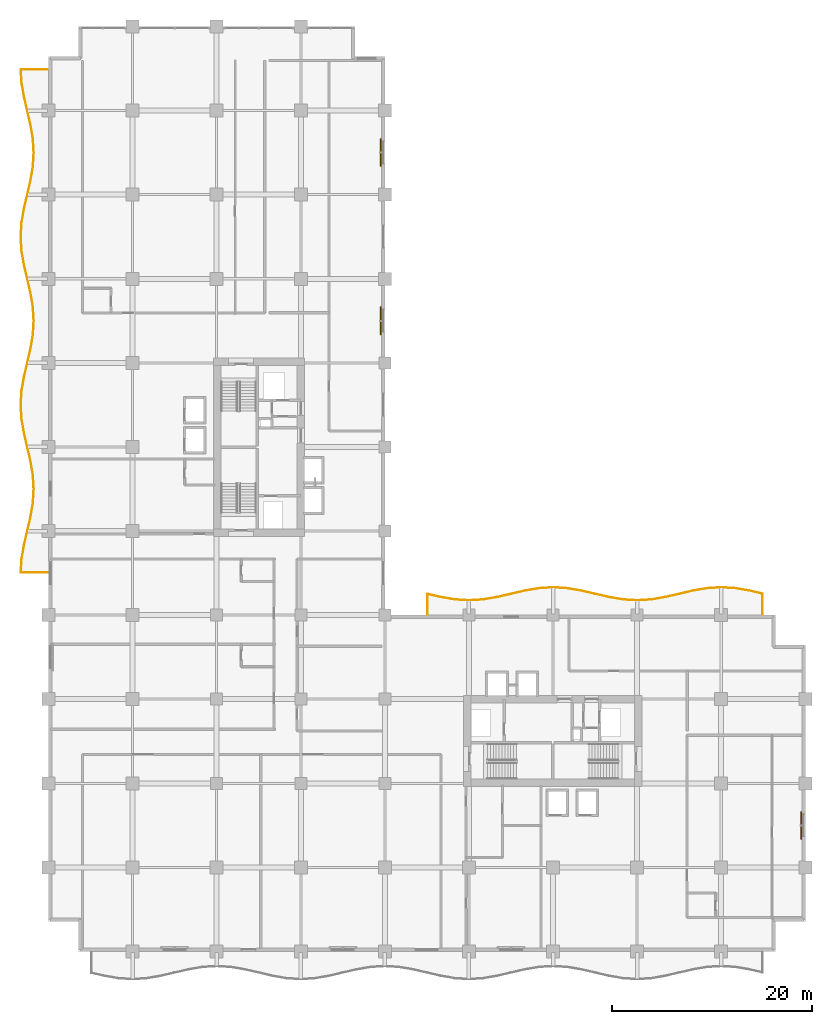
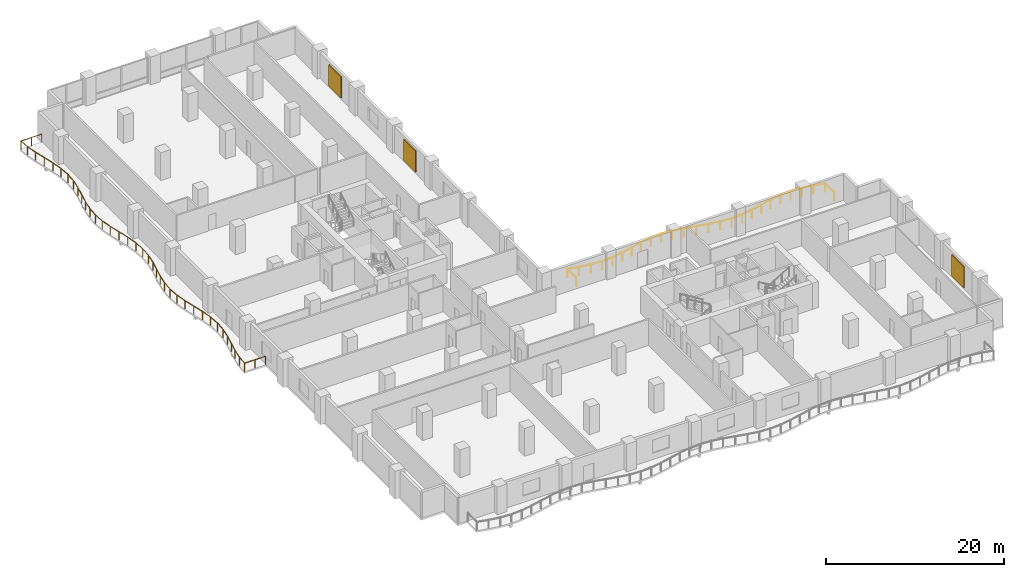
# One storey, part 22 of 22: 3 shading devices, 2 railings.
"""IFC4 building model written with IfcOpenShell, lengths in metres."""

from ifc_helpers import new_model, si_unit, direction, frame, origin, origin_2d, place, context, subcontext, project, spatial, rectangle, circle, extrude, material, layer, layer_set, type_object, element, save


model = new_model("IFC4")

# Units and contexts
model_context = context("Model", 3, precision=1e-05, world=origin(), true_north=direction((0.0, 1.0)))
body_context = subcontext(model_context, "Body", "Model", "MODEL_VIEW")
ifc_project = project(units=[si_unit("LENGTHUNIT", "METRE"), si_unit("AREAUNIT", "SQUARE_METRE"), si_unit("VOLUMEUNIT", "CUBIC_METRE"), si_unit("PLANEANGLEUNIT", "RADIAN"), si_unit("MASSUNIT", "GRAM", prefix="KILO")], contexts=[model_context])

# Site, building, storey
site_placement = place(None, origin())
site = spatial("IfcSite", under=ifc_project, at=site_placement, CompositionType="ELEMENT")
building_placement = place(site_placement, origin())
building = spatial("IfcBuilding", under=site, at=building_placement, Name="Koriwani Terraces Tower", CompositionType="ELEMENT")
storey_placement = place(building_placement, frame((0.0, 0.0, 141.800048828125)))
storey = spatial("IfcBuildingStorey", under=building, at=storey_placement, Name="L34", CompositionType="ELEMENT", Elevation=141.800048828125)

# Railings
ifc_material_1 = material(Name="Steel ASTM A572 Grade 50", Category="steel")
railing_type = type_object("IfcRailingType", Name="GUARD_BALUSTRADE_1150", PredefinedType="BALUSTRADE", material=ifc_material_1)
railing_1_placement = place(storey_placement, frame((-0.080078125, 37.8798828125, 0.0)))
element("IfcRailing", 1, at=railing_1_placement, inside=storey, type_object=railing_type, Name="L34 Balcony Perimeter Safety Balustrade (W)", PredefinedType="BALUSTRADE", context=body_context, shape_type="SweptSolid", body=[
    extrude(circle(Radius=0.02392578125, at=origin_2d()), frame((0.0, 0.0, 1.1259765625), z_axis=(-1.0, 0.0, 0.0), x_axis=(0.0, -1.0, 0.0)), (0.0, 0.0, 1.0), 2.684814453125),
    extrude(circle(Radius=0.02392578125, at=origin_2d()), frame((-2.684814453125, 0.0, 1.1259765625), z_axis=(0.062077435061, 0.998071336156, 0.0), x_axis=(-0.998071336156, 0.062077435061, 0.0)), (0.0, 0.0, 1.0), 1.3134765625),
    extrude(circle(Radius=0.02392578125, at=origin_2d()), frame((-2.603271484375, 1.31103515625, 1.1259765625), z_axis=(0.167563594016, 0.985861269125, 0.0), x_axis=(-0.985861269125, 0.167563594016, 0.0)), (0.0, 0.0, 1.0), 1.413330078125),
    extrude(circle(Radius=0.02392578125, at=origin_2d()), frame((-2.366455078125, 2.704345703125, 1.1259765625), z_axis=(0.226093729043, 0.974105551615, 0.0), x_axis=(-0.974105551615, 0.226093729043, 0.0)), (0.0, 0.0, 1.0), 2.87451171875),
    extrude(circle(Radius=0.02392578125, at=origin_2d()), frame((-1.716552734375, 5.50439453125, 1.1259765625), z_axis=(0.167533954852, 0.985866306337, 0.0), x_axis=(-0.985866306337, 0.167533954852, 0.0)), (0.0, 0.0, 1.0), 1.4267578125),
    extrude(circle(Radius=0.02392578125, at=origin_2d()), frame((-1.4775390625, 6.910888671875, 1.1259765625), z_axis=(0.061904605217, 0.9980820707, 0.0), x_axis=(-0.9980820707, 0.061904605217, 0.0)), (0.0, 0.0, 1.0), 1.411865234375),
    extrude(circle(Radius=0.02392578125, at=origin_2d()), frame((-1.39013671875, 8.320068359375, 1.1259765625), z_axis=(-0.061904605217, 0.9980820707, 0.0), x_axis=(-0.9980820707, -0.061904605217, 0.0)), (0.0, 0.0, 1.0), 1.411865234375),
    extrude(circle(Radius=0.02392578125, at=origin_2d()), frame((-1.4775390625, 9.729248046875, 1.1259765625), z_axis=(-0.167533954852, 0.985866306337, 0.0), x_axis=(-0.985866306337, -0.167533954852, 0.0)), (0.0, 0.0, 1.0), 1.4267578125),
    extrude(circle(Radius=0.02392578125, at=origin_2d()), frame((-1.716552734375, 11.1357421875, 1.1259765625), z_axis=(-0.226075024805, 0.974109892753, 0.0), x_axis=(-0.974109892753, -0.226075024805, 0.0)), (0.0, 0.0, 1.0), 2.874755859375),
    extrude(circle(Radius=0.02392578125, at=origin_2d()), frame((-2.366455078125, 13.93603515625, 1.1259765625), z_axis=(-0.167563594016, 0.985861269125, 0.0), x_axis=(-0.985861269125, -0.167563594016, 0.0)), (0.0, 0.0, 1.0), 1.413330078125),
    extrude(circle(Radius=0.02392578125, at=origin_2d()), frame((-2.603271484375, 15.329345703125, 1.1259765625), z_axis=(-0.062018352335, 0.998075009192, 0.0), x_axis=(-0.998075009192, -0.062018352335, 0.0)), (0.0, 0.0, 1.0), 1.3935546875),
    extrude(circle(Radius=0.02392578125, at=origin_2d()), frame((-2.689697265625, 16.72021484375, 1.1259765625), z_axis=(0.062029198499, 0.998074335174, 0.0), x_axis=(-0.998074335174, 0.062029198499, 0.0)), (0.0, 0.0, 1.0), 1.393310546875),
    extrude(circle(Radius=0.02392578125, at=origin_2d()), frame((-2.603271484375, 18.11083984375, 1.1259765625), z_axis=(0.167535062128, 0.985866118171, 0.0), x_axis=(-0.985866118171, 0.167535062128, 0.0)), (0.0, 0.0, 1.0), 1.41357421875),
    extrude(circle(Radius=0.02392578125, at=origin_2d()), frame((-2.366455078125, 19.50439453125, 1.1259765625), z_axis=(0.226093729043, 0.974105551615, 0.0), x_axis=(-0.974105551615, 0.226093729043, 0.0)), (0.0, 0.0, 1.0), 2.87451171875),
    extrude(circle(Radius=0.02392578125, at=origin_2d()), frame((-1.716552734375, 22.304443359375, 1.1259765625), z_axis=(0.167533954852, 0.985866306337, 0.0), x_axis=(-0.985866306337, 0.167533954852, 0.0)), (0.0, 0.0, 1.0), 1.4267578125),
    extrude(circle(Radius=0.02392578125, at=origin_2d()), frame((-1.4775390625, 23.7109375, 1.1259765625), z_axis=(0.061904605217, 0.9980820707, 0.0), x_axis=(-0.9980820707, 0.061904605217, 0.0)), (0.0, 0.0, 1.0), 1.411865234375),
    extrude(circle(Radius=0.02392578125, at=origin_2d()), frame((-1.39013671875, 25.1201171875, 1.1259765625), z_axis=(-0.061904605217, 0.9980820707, 0.0), x_axis=(-0.9980820707, -0.061904605217, 0.0)), (0.0, 0.0, 1.0), 1.411865234375),
    extrude(circle(Radius=0.02392578125, at=origin_2d()), frame((-1.4775390625, 26.529296875, 1.1259765625), z_axis=(-0.167533954852, 0.985866306337, 0.0), x_axis=(-0.985866306337, -0.167533954852, 0.0)), (0.0, 0.0, 1.0), 1.4267578125),
    extrude(circle(Radius=0.02392578125, at=origin_2d()), frame((-1.716552734375, 27.935791015625, 1.1259765625), z_axis=(-0.226093729043, 0.974105551615, 0.0), x_axis=(-0.974105551615, -0.226093729043, 0.0)), (0.0, 0.0, 1.0), 2.87451171875),
    extrude(circle(Radius=0.02392578125, at=origin_2d()), frame((-2.366455078125, 30.73583984375, 1.1259765625), z_axis=(-0.167535062128, 0.985866118171, 0.0), x_axis=(-0.985866118171, -0.167535062128, 0.0)), (0.0, 0.0, 1.0), 1.41357421875),
    extrude(circle(Radius=0.02392578125, at=origin_2d()), frame((-2.603271484375, 32.12939453125, 1.1259765625), z_axis=(-0.062029198499, 0.998074335174, 0.0), x_axis=(-0.998074335174, -0.062029198499, 0.0)), (0.0, 0.0, 1.0), 1.393310546875),
    extrude(circle(Radius=0.02392578125, at=origin_2d()), frame((-2.689697265625, 33.52001953125, 1.1259765625), z_axis=(0.062018352335, 0.998075009192, 0.0), x_axis=(-0.998075009192, 0.062018352335, 0.0)), (0.0, 0.0, 1.0), 1.3935546875),
    extrude(circle(Radius=0.02392578125, at=origin_2d()), frame((-2.603271484375, 34.910888671875, 1.1259765625), z_axis=(0.167563594016, 0.985861269125, 0.0), x_axis=(-0.985861269125, 0.167563594016, 0.0)), (0.0, 0.0, 1.0), 1.413330078125),
    extrude(circle(Radius=0.02392578125, at=origin_2d()), frame((-2.366455078125, 36.30419921875, 1.1259765625), z_axis=(0.226075024805, 0.974109892753, 0.0), x_axis=(-0.974109892753, 0.226075024805, 0.0)), (0.0, 0.0, 1.0), 2.874755859375),
    extrude(circle(Radius=0.02392578125, at=origin_2d()), frame((-1.716552734375, 39.1044921875, 1.1259765625), z_axis=(0.167533954852, 0.985866306337, 0.0), x_axis=(-0.985866306337, 0.167533954852, 0.0)), (0.0, 0.0, 1.0), 1.4267578125),
    extrude(circle(Radius=0.02392578125, at=origin_2d()), frame((-1.4775390625, 40.510986328125, 1.1259765625), z_axis=(0.061904605217, 0.9980820707, 0.0), x_axis=(-0.9980820707, 0.061904605217, 0.0)), (0.0, 0.0, 1.0), 1.411865234375),
    extrude(circle(Radius=0.02392578125, at=origin_2d()), frame((-1.39013671875, 41.920166015625, 1.1259765625), z_axis=(-0.061904605217, 0.9980820707, 0.0), x_axis=(-0.9980820707, -0.061904605217, 0.0)), (0.0, 0.0, 1.0), 1.411865234375),
    extrude(circle(Radius=0.02392578125, at=origin_2d()), frame((-1.4775390625, 43.329345703125, 1.1259765625), z_axis=(-0.167533954852, 0.985866306337, 0.0), x_axis=(-0.985866306337, -0.167533954852, 0.0)), (0.0, 0.0, 1.0), 1.4267578125),
    extrude(circle(Radius=0.02392578125, at=origin_2d()), frame((-1.716552734375, 44.73583984375, 1.1259765625), z_axis=(-0.226093729043, 0.974105551615, 0.0), x_axis=(-0.974105551615, -0.226093729043, 0.0)), (0.0, 0.0, 1.0), 2.87451171875),
    extrude(circle(Radius=0.02392578125, at=origin_2d()), frame((-2.366455078125, 47.535888671875, 1.1259765625), z_axis=(-0.167563594016, 0.985861269125, 0.0), x_axis=(-0.985861269125, -0.167563594016, 0.0)), (0.0, 0.0, 1.0), 1.413330078125),
    extrude(circle(Radius=0.02392578125, at=origin_2d()), frame((-2.603271484375, 48.92919921875, 1.1259765625), z_axis=(-0.062077435061, 0.998071336156, 0.0), x_axis=(-0.998071336156, -0.062077435061, 0.0)), (0.0, 0.0, 1.0), 1.3134765625),
    extrude(circle(Radius=0.02392578125, at=origin_2d()), frame((-2.684814453125, 50.240234375, 1.1259765625), z_axis=(1.0, 0.0, 0.0), x_axis=(0.0, 1.0, 0.0)), (0.0, 0.0, 1.0), 2.684814453125),
    extrude(circle(Radius=0.02099609375, at=origin_2d()), origin(), (0.0, 0.0, 1.0), 1.101806640625),
    extrude(circle(Radius=0.02099609375, at=origin_2d()), frame((-1.34228515625, 0.0, 0.0)), (0.0, 0.0, 1.0), 1.101806640625),
    extrude(circle(Radius=0.02099609375, at=origin_2d()), frame((-2.684814453125, 0.0, 0.0)), (0.0, 0.0, 1.0), 1.101806640625),
    extrude(circle(Radius=0.02099609375, at=origin_2d()), frame((-2.603271484375, 1.31103515625, 0.0)), (0.0, 0.0, 1.0), 1.101806640625),
    extrude(circle(Radius=0.02099609375, at=origin_2d()), frame((-2.366455078125, 2.704345703125, 0.0)), (0.0, 0.0, 1.0), 1.101806640625),
    extrude(circle(Radius=0.02099609375, at=origin_2d()), frame((-2.04150390625, 4.1044921875, 0.0)), (0.0, 0.0, 1.0), 1.101806640625),
    extrude(circle(Radius=0.02099609375, at=origin_2d()), frame((-1.716552734375, 5.50439453125, 0.0)), (0.0, 0.0, 1.0), 1.101806640625),
    extrude(circle(Radius=0.02099609375, at=origin_2d()), frame((-1.4775390625, 6.910888671875, 0.0)), (0.0, 0.0, 1.0), 1.101806640625),
    extrude(circle(Radius=0.02099609375, at=origin_2d()), frame((-1.39013671875, 8.320068359375, 0.0)), (0.0, 0.0, 1.0), 1.101806640625),
    extrude(circle(Radius=0.02099609375, at=origin_2d()), frame((-1.4775390625, 9.729248046875, 0.0)), (0.0, 0.0, 1.0), 1.101806640625),
    extrude(circle(Radius=0.02099609375, at=origin_2d()), frame((-1.716552734375, 11.1357421875, 0.0)), (0.0, 0.0, 1.0), 1.101806640625),
    extrude(circle(Radius=0.02099609375, at=origin_2d()), frame((-2.04150390625, 12.535888671875, 0.0)), (0.0, 0.0, 1.0), 1.101806640625),
    extrude(circle(Radius=0.02099609375, at=origin_2d()), frame((-2.366455078125, 13.93603515625, 0.0)), (0.0, 0.0, 1.0), 1.101806640625),
    extrude(circle(Radius=0.02099609375, at=origin_2d()), frame((-2.603271484375, 15.329345703125, 0.0)), (0.0, 0.0, 1.0), 1.101806640625),
    extrude(circle(Radius=0.02099609375, at=origin_2d()), frame((-2.689697265625, 16.72021484375, 0.0)), (0.0, 0.0, 1.0), 1.101806640625),
    extrude(circle(Radius=0.02099609375, at=origin_2d()), frame((-2.603271484375, 18.11083984375, 0.0)), (0.0, 0.0, 1.0), 1.101806640625),
    extrude(circle(Radius=0.02099609375, at=origin_2d()), frame((-2.366455078125, 19.50439453125, 0.0)), (0.0, 0.0, 1.0), 1.101806640625),
    extrude(circle(Radius=0.02099609375, at=origin_2d()), frame((-2.04150390625, 20.904296875, 0.0)), (0.0, 0.0, 1.0), 1.101806640625),
    extrude(circle(Radius=0.02099609375, at=origin_2d()), frame((-1.716552734375, 22.304443359375, 0.0)), (0.0, 0.0, 1.0), 1.101806640625),
    extrude(circle(Radius=0.02099609375, at=origin_2d()), frame((-1.4775390625, 23.7109375, 0.0)), (0.0, 0.0, 1.0), 1.101806640625),
    extrude(circle(Radius=0.02099609375, at=origin_2d()), frame((-1.39013671875, 25.1201171875, 0.0)), (0.0, 0.0, 1.0), 1.101806640625),
    extrude(circle(Radius=0.02099609375, at=origin_2d()), frame((-1.4775390625, 26.529296875, 0.0)), (0.0, 0.0, 1.0), 1.101806640625),
    extrude(circle(Radius=0.02099609375, at=origin_2d()), frame((-1.716552734375, 27.935791015625, 0.0)), (0.0, 0.0, 1.0), 1.101806640625),
    extrude(circle(Radius=0.02099609375, at=origin_2d()), frame((-2.04150390625, 29.3359375, 0.0)), (0.0, 0.0, 1.0), 1.101806640625),
    extrude(circle(Radius=0.02099609375, at=origin_2d()), frame((-2.366455078125, 30.73583984375, 0.0)), (0.0, 0.0, 1.0), 1.101806640625),
    extrude(circle(Radius=0.02099609375, at=origin_2d()), frame((-2.603271484375, 32.12939453125, 0.0)), (0.0, 0.0, 1.0), 1.101806640625),
    extrude(circle(Radius=0.02099609375, at=origin_2d()), frame((-2.689697265625, 33.52001953125, 0.0)), (0.0, 0.0, 1.0), 1.101806640625),
    extrude(circle(Radius=0.02099609375, at=origin_2d()), frame((-2.603271484375, 34.910888671875, 0.0)), (0.0, 0.0, 1.0), 1.101806640625),
    extrude(circle(Radius=0.02099609375, at=origin_2d()), frame((-2.366455078125, 36.30419921875, 0.0)), (0.0, 0.0, 1.0), 1.101806640625),
    extrude(circle(Radius=0.02099609375, at=origin_2d()), frame((-2.04150390625, 37.704345703125, 0.0)), (0.0, 0.0, 1.0), 1.101806640625),
    extrude(circle(Radius=0.02099609375, at=origin_2d()), frame((-1.716552734375, 39.1044921875, 0.0)), (0.0, 0.0, 1.0), 1.101806640625),
    extrude(circle(Radius=0.02099609375, at=origin_2d()), frame((-1.4775390625, 40.510986328125, 0.0)), (0.0, 0.0, 1.0), 1.101806640625),
    extrude(circle(Radius=0.02099609375, at=origin_2d()), frame((-1.39013671875, 41.920166015625, 0.0)), (0.0, 0.0, 1.0), 1.101806640625),
    extrude(circle(Radius=0.02099609375, at=origin_2d()), frame((-1.4775390625, 43.329345703125, 0.0)), (0.0, 0.0, 1.0), 1.101806640625),
    extrude(circle(Radius=0.02099609375, at=origin_2d()), frame((-1.716552734375, 44.73583984375, 0.0)), (0.0, 0.0, 1.0), 1.101806640625),
    extrude(circle(Radius=0.02099609375, at=origin_2d()), frame((-2.04150390625, 46.1357421875, 0.0)), (0.0, 0.0, 1.0), 1.101806640625),
    extrude(circle(Radius=0.02099609375, at=origin_2d()), frame((-2.366455078125, 47.535888671875, 0.0)), (0.0, 0.0, 1.0), 1.101806640625),
    extrude(circle(Radius=0.02099609375, at=origin_2d()), frame((-2.603271484375, 48.92919921875, 0.0)), (0.0, 0.0, 1.0), 1.101806640625),
    extrude(circle(Radius=0.02099609375, at=origin_2d()), frame((-2.684814453125, 50.240234375, 0.0)), (0.0, 0.0, 1.0), 1.101806640625),
    extrude(circle(Radius=0.02099609375, at=origin_2d()), frame((-1.34228515625, 50.240234375, 0.0)), (0.0, 0.0, 1.0), 1.101806640625),
    extrude(circle(Radius=0.02099609375, at=origin_2d()), frame((0.0, 50.240234375, 0.0)), (0.0, 0.0, 1.0), 1.101806640625),
])
railing_2_placement = place(storey_placement, frame((71.320068359375, 33.679931640625, 0.0)))
element("IfcRailing", 2, at=railing_2_placement, inside=storey, type_object=railing_type, Name="L34 Balcony Perimeter Safety Balustrade (NE)", PredefinedType="BALUSTRADE", context=body_context, shape_type="SweptSolid", body=[
    extrude(circle(Radius=0.02392578125, at=origin_2d()), frame((0.0, 0.0, 1.1259765625), z_axis=(0.0, 1.0, 0.0), x_axis=(-1.0, 0.0, 0.0)), (0.0, 0.0, 1.0), 2.056396484375),
    extrude(circle(Radius=0.02392578125, at=origin_2d()), frame((0.0, 2.056396484375, 1.1259765625), z_axis=(-0.974108402531, 0.226081445763, 0.0), x_axis=(-0.226081445763, -0.974108402531, 0.0)), (0.0, 0.0, 1.0), 1.371337890625),
    extrude(circle(Radius=0.02392578125, at=origin_2d()), frame((-1.3359375, 2.366455078125, 1.1259765625), z_axis=(-0.985861269125, 0.167563594016, 0.0), x_axis=(-0.167563594016, -0.985861269125, 0.0)), (0.0, 0.0, 1.0), 1.413330078125),
    extrude(circle(Radius=0.02392578125, at=origin_2d()), frame((-2.729248046875, 2.603271484375, 1.1259765625), z_axis=(-0.998064149781, 0.062192868733, 0.0), x_axis=(-0.062192868733, -0.998064149781, 0.0)), (0.0, 0.0, 1.0), 1.3935546875),
    extrude(circle(Radius=0.02392578125, at=origin_2d()), frame((-4.1201171875, 2.68994140625, 1.1259765625), z_axis=(-0.998064149781, -0.062192868733, 0.0), x_axis=(0.062192868733, -0.998064149781, 0.0)), (0.0, 0.0, 1.0), 1.3935546875),
    extrude(circle(Radius=0.02392578125, at=origin_2d()), frame((-5.510986328125, 2.603271484375, 1.1259765625), z_axis=(-0.985861269125, -0.167563594016, 0.0), x_axis=(0.167563594016, -0.985861269125, 0.0)), (0.0, 0.0, 1.0), 1.413330078125),
    extrude(circle(Radius=0.02392578125, at=origin_2d()), frame((-6.904296875, 2.366455078125, 1.1259765625), z_axis=(-0.974105551615, -0.226093729043, 0.0), x_axis=(0.226093729043, -0.974105551615, 0.0)), (0.0, 0.0, 1.0), 2.87451171875),
    extrude(circle(Radius=0.02392578125, at=origin_2d()), frame((-9.704345703125, 1.716552734375, 1.1259765625), z_axis=(-0.985894557597, -0.167367623213, 0.0), x_axis=(0.167367623213, -0.985894557597, 0.0)), (0.0, 0.0, 1.0), 1.426513671875),
    extrude(circle(Radius=0.02392578125, at=origin_2d()), frame((-11.11083984375, 1.477783203125, 1.1259765625), z_axis=(-0.9980820707, -0.061904605217, 0.0), x_axis=(0.061904605217, -0.9980820707, 0.0)), (0.0, 0.0, 1.0), 1.411865234375),
    extrude(circle(Radius=0.02392578125, at=origin_2d()), frame((-12.52001953125, 1.390380859375, 1.1259765625), z_axis=(-0.9980820707, 0.061904605217, 0.0), x_axis=(-0.061904605217, -0.9980820707, 0.0)), (0.0, 0.0, 1.0), 1.411865234375),
    extrude(circle(Radius=0.02392578125, at=origin_2d()), frame((-13.92919921875, 1.477783203125, 1.1259765625), z_axis=(-0.985894557597, 0.167367623213, 0.0), x_axis=(-0.167367623213, -0.985894557597, 0.0)), (0.0, 0.0, 1.0), 1.426513671875),
    extrude(circle(Radius=0.02392578125, at=origin_2d()), frame((-15.335693359375, 1.716552734375, 1.1259765625), z_axis=(-0.974109892753, 0.226075024805, 0.0), x_axis=(-0.226075024805, -0.974109892753, 0.0)), (0.0, 0.0, 1.0), 2.874755859375),
    extrude(circle(Radius=0.02392578125, at=origin_2d()), frame((-18.135986328125, 2.366455078125, 1.1259765625), z_axis=(-0.985861269125, 0.167563594016, 0.0), x_axis=(-0.167563594016, -0.985861269125, 0.0)), (0.0, 0.0, 1.0), 1.413330078125),
    extrude(circle(Radius=0.02392578125, at=origin_2d()), frame((-19.529296875, 2.603271484375, 1.1259765625), z_axis=(-0.998064149781, 0.062192868733, 0.0), x_axis=(-0.062192868733, -0.998064149781, 0.0)), (0.0, 0.0, 1.0), 1.3935546875),
    extrude(circle(Radius=0.02392578125, at=origin_2d()), frame((-20.920166015625, 2.68994140625, 1.1259765625), z_axis=(-0.998063471972, -0.062203745181, 0.0), x_axis=(0.062203745181, -0.998063471972, 0.0)), (0.0, 0.0, 1.0), 1.393310546875),
    extrude(circle(Radius=0.02392578125, at=origin_2d()), frame((-22.310791015625, 2.603271484375, 1.1259765625), z_axis=(-0.985866118171, -0.167535062128, 0.0), x_axis=(0.167535062128, -0.985866118171, 0.0)), (0.0, 0.0, 1.0), 1.41357421875),
    extrude(circle(Radius=0.02392578125, at=origin_2d()), frame((-23.704345703125, 2.366455078125, 1.1259765625), z_axis=(-0.974105551615, -0.226093729043, 0.0), x_axis=(0.226093729043, -0.974105551615, 0.0)), (0.0, 0.0, 1.0), 2.87451171875),
    extrude(circle(Radius=0.02392578125, at=origin_2d()), frame((-26.50439453125, 1.716552734375, 1.1259765625), z_axis=(-0.985894557597, -0.167367623213, 0.0), x_axis=(0.167367623213, -0.985894557597, 0.0)), (0.0, 0.0, 1.0), 1.426513671875),
    extrude(circle(Radius=0.02392578125, at=origin_2d()), frame((-27.910888671875, 1.477783203125, 1.1259765625), z_axis=(-0.9980820707, -0.061904605217, 0.0), x_axis=(0.061904605217, -0.9980820707, 0.0)), (0.0, 0.0, 1.0), 1.411865234375),
    extrude(circle(Radius=0.02392578125, at=origin_2d()), frame((-29.320068359375, 1.390380859375, 1.1259765625), z_axis=(-0.9980820707, 0.061904605217, 0.0), x_axis=(-0.061904605217, -0.9980820707, 0.0)), (0.0, 0.0, 1.0), 1.411865234375),
    extrude(circle(Radius=0.02392578125, at=origin_2d()), frame((-30.729248046875, 1.477783203125, 1.1259765625), z_axis=(-0.985894557597, 0.167367623213, 0.0), x_axis=(-0.167367623213, -0.985894557597, 0.0)), (0.0, 0.0, 1.0), 1.426513671875),
    extrude(circle(Radius=0.02392578125, at=origin_2d()), frame((-32.1357421875, 1.716552734375, 1.1259765625), z_axis=(-0.974110823857, 0.226071012836, 0.0), x_axis=(-0.226071012836, -0.974110823857, 0.0)), (0.0, 0.0, 1.0), 1.339111328125),
    extrude(circle(Radius=0.02392578125, at=origin_2d()), frame((-33.440185546875, 2.019287109375, 1.1259765625), z_axis=(0.0, -1.0, 0.0), x_axis=(1.0, 0.0, 0.0)), (0.0, 0.0, 1.0), 2.019287109375),
    extrude(circle(Radius=0.02099609375, at=origin_2d()), origin(), (0.0, 0.0, 1.0), 1.101806640625),
    extrude(circle(Radius=0.02099609375, at=origin_2d()), frame((0.0, 2.056396484375, 0.0)), (0.0, 0.0, 1.0), 1.101806640625),
    extrude(circle(Radius=0.02099609375, at=origin_2d()), frame((-1.3359375, 2.366455078125, 0.0)), (0.0, 0.0, 1.0), 1.101806640625),
    extrude(circle(Radius=0.02099609375, at=origin_2d()), frame((-2.729248046875, 2.603271484375, 0.0)), (0.0, 0.0, 1.0), 1.101806640625),
    extrude(circle(Radius=0.02099609375, at=origin_2d()), frame((-4.1201171875, 2.68994140625, 0.0)), (0.0, 0.0, 1.0), 1.101806640625),
    extrude(circle(Radius=0.02099609375, at=origin_2d()), frame((-5.510986328125, 2.603271484375, 0.0)), (0.0, 0.0, 1.0), 1.101806640625),
    extrude(circle(Radius=0.02099609375, at=origin_2d()), frame((-6.904296875, 2.366455078125, 0.0)), (0.0, 0.0, 1.0), 1.101806640625),
    extrude(circle(Radius=0.02099609375, at=origin_2d()), frame((-8.30419921875, 2.04150390625, 0.0)), (0.0, 0.0, 1.0), 1.101806640625),
    extrude(circle(Radius=0.02099609375, at=origin_2d()), frame((-9.704345703125, 1.716552734375, 0.0)), (0.0, 0.0, 1.0), 1.101806640625),
    extrude(circle(Radius=0.02099609375, at=origin_2d()), frame((-11.11083984375, 1.477783203125, 0.0)), (0.0, 0.0, 1.0), 1.101806640625),
    extrude(circle(Radius=0.02099609375, at=origin_2d()), frame((-12.52001953125, 1.390380859375, 0.0)), (0.0, 0.0, 1.0), 1.101806640625),
    extrude(circle(Radius=0.02099609375, at=origin_2d()), frame((-13.92919921875, 1.477783203125, 0.0)), (0.0, 0.0, 1.0), 1.101806640625),
    extrude(circle(Radius=0.02099609375, at=origin_2d()), frame((-15.335693359375, 1.716552734375, 0.0)), (0.0, 0.0, 1.0), 1.101806640625),
    extrude(circle(Radius=0.02099609375, at=origin_2d()), frame((-16.73583984375, 2.04150390625, 0.0)), (0.0, 0.0, 1.0), 1.101806640625),
    extrude(circle(Radius=0.02099609375, at=origin_2d()), frame((-18.135986328125, 2.366455078125, 0.0)), (0.0, 0.0, 1.0), 1.101806640625),
    extrude(circle(Radius=0.02099609375, at=origin_2d()), frame((-19.529296875, 2.603271484375, 0.0)), (0.0, 0.0, 1.0), 1.101806640625),
    extrude(circle(Radius=0.02099609375, at=origin_2d()), frame((-20.920166015625, 2.68994140625, 0.0)), (0.0, 0.0, 1.0), 1.101806640625),
    extrude(circle(Radius=0.02099609375, at=origin_2d()), frame((-22.310791015625, 2.603271484375, 0.0)), (0.0, 0.0, 1.0), 1.101806640625),
    extrude(circle(Radius=0.02099609375, at=origin_2d()), frame((-23.704345703125, 2.366455078125, 0.0)), (0.0, 0.0, 1.0), 1.101806640625),
    extrude(circle(Radius=0.02099609375, at=origin_2d()), frame((-25.1044921875, 2.04150390625, 0.0)), (0.0, 0.0, 1.0), 1.101806640625),
    extrude(circle(Radius=0.02099609375, at=origin_2d()), frame((-26.50439453125, 1.716552734375, 0.0)), (0.0, 0.0, 1.0), 1.101806640625),
    extrude(circle(Radius=0.02099609375, at=origin_2d()), frame((-27.910888671875, 1.477783203125, 0.0)), (0.0, 0.0, 1.0), 1.101806640625),
    extrude(circle(Radius=0.02099609375, at=origin_2d()), frame((-29.320068359375, 1.390380859375, 0.0)), (0.0, 0.0, 1.0), 1.101806640625),
    extrude(circle(Radius=0.02099609375, at=origin_2d()), frame((-30.729248046875, 1.477783203125, 0.0)), (0.0, 0.0, 1.0), 1.101806640625),
    extrude(circle(Radius=0.02099609375, at=origin_2d()), frame((-32.1357421875, 1.716552734375, 0.0)), (0.0, 0.0, 1.0), 1.101806640625),
    extrude(circle(Radius=0.02099609375, at=origin_2d()), frame((-33.440185546875, 2.019287109375, 0.0)), (0.0, 0.0, 1.0), 1.101806640625),
    extrude(circle(Radius=0.02099609375, at=origin_2d()), frame((-33.440185546875, 0.0, 0.0)), (0.0, 0.0, 1.0), 1.101806640625),
])

# Shading devices
ifc_material_2 = material(Name="Extruded Terracotta Clay", Category="masonry")
ifc_layer = layer(ifc_material_2, 0.1201171875, Name="Extruded Terracotta Clay")
ifc_layer_set = layer_set([ifc_layer], Name="Extruded Terracotta Clay")
shading_device_type = type_object("IfcShadingDeviceType", Name="TERRACOTTA_BAGUETTE_SCREEN_2800", PredefinedType="USERDEFINED", material=ifc_layer_set)
for number, where, z_axis, x_axis, name in (
    (3, (33.195068359375, 63.0, 0.324951171875), (0.0, 0.0, 1.0), (0.0, -1.0, 0.0), "L34 Extruded Terracotta Baguette Screen (NW_IN-11)"),
    (4, (33.195068359375, 79.800048828125, 0.324951171875), (0.0, 0.0, 1.0), (0.0, -1.0, 0.0), "L34 Extruded Terracotta Baguette Screen (NW_IN-17)"),
    (5, (75.195068359375, 12.60009765625, 0.324951171875), (0.0, 0.0, 1.0), (0.0, -1.0, 0.0), "L34 Extruded Terracotta Baguette Screen (E_TIP-3)"),
):
    element("IfcShadingDevice", number, at=place(storey_placement, frame(where, z_axis=z_axis, x_axis=x_axis)), inside=storey, type_object=shading_device_type, Name=name, ObjectType="BAGUETTE", PredefinedType="USERDEFINED", context=body_context, shape_type="SweptSolid", body=[
        extrude(rectangle(XDim=2.760009765625, YDim=0.1201171875, at=origin_2d()), origin(), (0.0, 0.0, 1.0), 2.89990234375),
    ])

save(model, "model.ifc")
